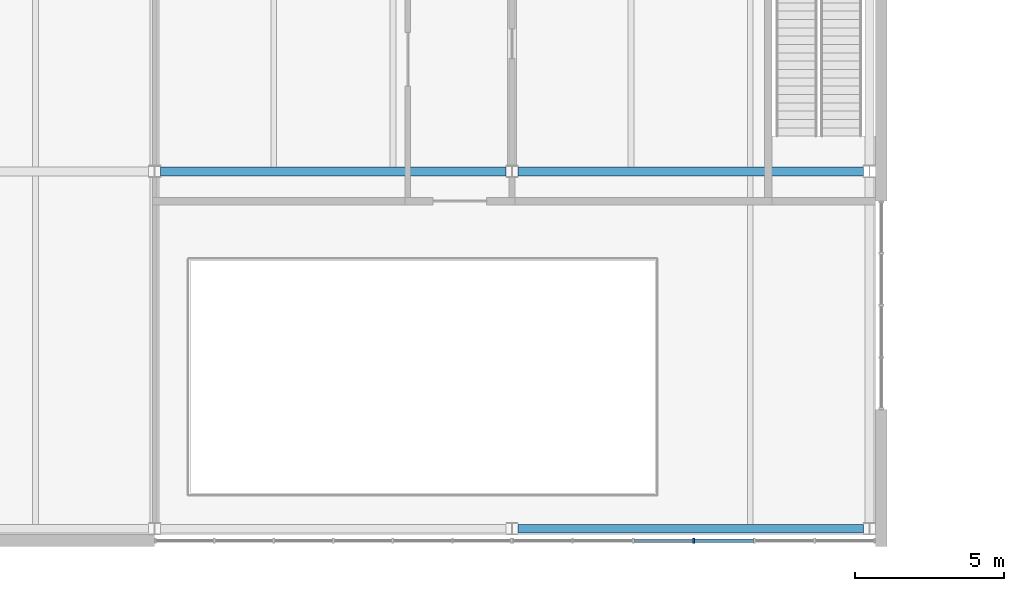
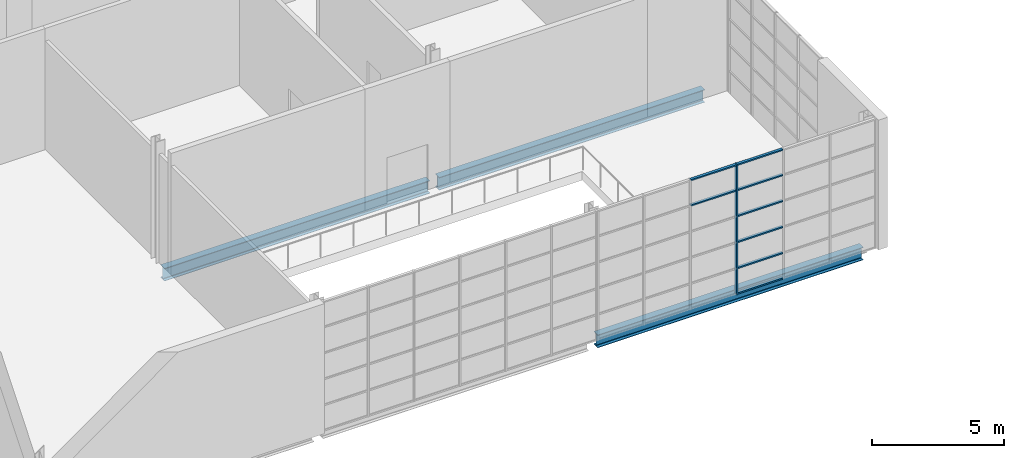
# One storey, part 8 of 30: 9 members, 3 beams, 1 element without a shape of its own.
"""IFC4 building model written with IfcOpenShell, lengths in metres."""

from ifc_helpers import new_model, si_unit, direction, frame, origin, origin_2d, place, context, subcontext, project, spatial, rectangle, i_section, extrude, material, layer, layer_set, material_profile, profile_set, type_object, element, aggregate, save


model = new_model("IFC4")

# Units and contexts
model_context = context("Model", 3, precision=1e-05, world=origin(), true_north=direction((0.0, 1.0)))
body_context = subcontext(model_context, "Body", "Model", "MODEL_VIEW")
ifc_project = project(units=[si_unit("LENGTHUNIT", "METRE"), si_unit("AREAUNIT", "SQUARE_METRE"), si_unit("VOLUMEUNIT", "CUBIC_METRE"), si_unit("PLANEANGLEUNIT", "RADIAN"), si_unit("MASSUNIT", "GRAM", prefix="KILO")], contexts=[model_context])

# Site, building, storey
site_placement = place(None, origin())
site = spatial("IfcSite", under=ifc_project, at=site_placement, CompositionType="ELEMENT")
building_placement = place(site_placement, origin())
building = spatial("IfcBuilding", under=site, at=building_placement, Name="Kitamizu Gate Tower and Museum", CompositionType="ELEMENT")
storey_placement = place(building_placement, frame((0.0, 0.0, 6.0)))
storey = spatial("IfcBuildingStorey", under=building, at=storey_placement, Name="L01", CompositionType="ELEMENT", Elevation=6.0)

# Curtain wall, members
ifc_material_1 = material(Name="Bronze anodised aluminium frame, tinted triple glazing", Category="aluminium")
ifc_layer = layer(ifc_material_1, 0.39990234375)
ifc_layer_set = layer_set([ifc_layer], Name="Bronze anodised aluminium frame, tinted triple glazing")
curtain_wall_type = type_object("IfcCurtainWallType", Name="Museum atrium curtain wall D", PredefinedType="NOTDEFINED", material=ifc_layer_set)
curtain_wall_placement = place(storey_placement, origin())
curtain_wall = element("IfcCurtainWall", 1, at=curtain_wall_placement, inside=storey, type_object=curtain_wall_type, Name="Atrium curtain wall Sm2m10.2", PredefinedType="NOTDEFINED")
ifc_material_2 = material(Name="Bronze anodised aluminium", Category="aluminium")
ifc_material_profile_1 = material_profile(ifc_material_2, rectangle(XDim=0.06005859375, YDim=0.159912109375, at=origin_2d()), Name="60x160")
ifc_profile_set_1 = profile_set([ifc_material_profile_1], Name="Bronze anodised aluminium")
member_type_1 = type_object("IfcMemberType", Name="Museum curtain wall mullion 60x160", PredefinedType="MULLION", material=ifc_profile_set_1)
member_1_placement = place(storey_placement, frame((4.10009765625, -26.39990234375, -0.39990234375), z_axis=(0.0, 0.0, 1.0), x_axis=(1.0, 0.0, 0.0)))
member_1 = element("IfcMember", 2, at=member_1_placement, type_object=member_type_1, Name="CW-D mullion 4", PredefinedType="MULLION", context=body_context, shape_type="SweptSolid", body=[
    extrude(rectangle(XDim=0.06005859375, YDim=0.159912109375, at=origin_2d()), origin(), (0.0, 0.0, 1.0), 6.0),
])
ifc_material_3 = material(Name="Bronze anodised aluminium", Category="aluminium")
ifc_material_profile_2 = material_profile(ifc_material_3, rectangle(XDim=0.1201171875, YDim=0.06005859375, at=origin_2d()), Name="120x60")
ifc_profile_set_2 = profile_set([ifc_material_profile_2], Name="Bronze anodised aluminium")
member_type_2 = type_object("IfcMemberType", Name="Museum curtain wall transom 60x120", PredefinedType="USERDEFINED", material=ifc_profile_set_2)
member_2_placement = place(storey_placement, frame((2.0966796875, -26.39990234375, 4.39990234375), z_axis=(1.0, 0.0, 0.0), x_axis=(0.0, 1.0, 0.0)))
member_2 = element("IfcMember", 3, at=member_2_placement, type_object=member_type_2, Name="CW-D transom 3.5", ObjectType="TRANSOM", PredefinedType="USERDEFINED", context=body_context, shape_type="SweptSolid", body=[
    extrude(rectangle(XDim=0.1201171875, YDim=0.06005859375, at=origin_2d()), origin(), (0.0, 0.0, 1.0), 1.973388671875),
])
member_3_placement = place(storey_placement, frame((2.0966796875, -26.39990234375, 5.570068359375), z_axis=(1.0, 0.0, 0.0), x_axis=(0.0, 1.0, 0.0)))
member_3 = element("IfcMember", 4, at=member_3_placement, type_object=member_type_2, Name="CW-D transom 3.6", ObjectType="TRANSOM", PredefinedType="USERDEFINED", context=body_context, shape_type="SweptSolid", body=[
    extrude(rectangle(XDim=0.1201171875, YDim=0.06005859375, at=origin_2d()), origin(), (0.0, 0.0, 1.0), 1.973388671875),
])
member_4_placement = place(storey_placement, frame((4.1298828125, -26.39990234375, -0.3701171875), z_axis=(1.0, 0.0, 0.0), x_axis=(0.0, 1.0, 0.0)))
member_4 = element("IfcMember", 5, at=member_4_placement, type_object=member_type_2, Name="CW-D transom 4.1", ObjectType="TRANSOM", PredefinedType="USERDEFINED", context=body_context, shape_type="SweptSolid", body=[
    extrude(rectangle(XDim=0.1201171875, YDim=0.06005859375, at=origin_2d()), origin(), (0.0, 0.0, 1.0), 1.973388671875),
])
member_5_placement = place(storey_placement, frame((4.1298828125, -26.39990234375, 0.800048828125), z_axis=(1.0, 0.0, 0.0), x_axis=(0.0, 1.0, 0.0)))
member_5 = element("IfcMember", 6, at=member_5_placement, type_object=member_type_2, Name="CW-D transom 4.2", ObjectType="TRANSOM", PredefinedType="USERDEFINED", context=body_context, shape_type="SweptSolid", body=[
    extrude(rectangle(XDim=0.1201171875, YDim=0.06005859375, at=origin_2d()), origin(), (0.0, 0.0, 1.0), 1.973388671875),
])
member_6_placement = place(storey_placement, frame((4.1298828125, -26.39990234375, 2.0), z_axis=(1.0, 0.0, 0.0), x_axis=(0.0, 1.0, 0.0)))
member_6 = element("IfcMember", 7, at=member_6_placement, type_object=member_type_2, Name="CW-D transom 4.3", ObjectType="TRANSOM", PredefinedType="USERDEFINED", context=body_context, shape_type="SweptSolid", body=[
    extrude(rectangle(XDim=0.1201171875, YDim=0.06005859375, at=origin_2d()), origin(), (0.0, 0.0, 1.0), 1.973388671875),
])
member_7_placement = place(storey_placement, frame((4.1298828125, -26.39990234375, 3.199951171875), z_axis=(1.0, 0.0, 0.0), x_axis=(0.0, 1.0, 0.0)))
member_7 = element("IfcMember", 8, at=member_7_placement, type_object=member_type_2, Name="CW-D transom 4.4", ObjectType="TRANSOM", PredefinedType="USERDEFINED", context=body_context, shape_type="SweptSolid", body=[
    extrude(rectangle(XDim=0.1201171875, YDim=0.06005859375, at=origin_2d()), origin(), (0.0, 0.0, 1.0), 1.973388671875),
])
member_8_placement = place(storey_placement, frame((4.1298828125, -26.39990234375, 4.39990234375), z_axis=(1.0, 0.0, 0.0), x_axis=(0.0, 1.0, 0.0)))
member_8 = element("IfcMember", 9, at=member_8_placement, type_object=member_type_2, Name="CW-D transom 4.5", ObjectType="TRANSOM", PredefinedType="USERDEFINED", context=body_context, shape_type="SweptSolid", body=[
    extrude(rectangle(XDim=0.1201171875, YDim=0.06005859375, at=origin_2d()), origin(), (0.0, 0.0, 1.0), 1.973388671875),
])
member_9_placement = place(storey_placement, frame((4.1298828125, -26.39990234375, 5.570068359375), z_axis=(1.0, 0.0, 0.0), x_axis=(0.0, 1.0, 0.0)))
member_9 = element("IfcMember", 10, at=member_9_placement, type_object=member_type_2, Name="CW-D transom 4.6", ObjectType="TRANSOM", PredefinedType="USERDEFINED", context=body_context, shape_type="SweptSolid", body=[
    extrude(rectangle(XDim=0.1201171875, YDim=0.06005859375, at=origin_2d()), origin(), (0.0, 0.0, 1.0), 1.973388671875),
])
aggregate(curtain_wall, [member_1, member_2, member_3, member_4, member_5, member_6, member_7, member_8, member_9])

# Beams
ifc_material_4 = material(Name="Steel SS400", Category="steel")
ifc_material_profile_3 = material_profile(ifc_material_4, i_section(OverallWidth=0.300048828125, OverallDepth=0.587890625, WebThickness=0.011962890625, FlangeThickness=0.02001953125, FilletRadius=0.028076171875, at=origin_2d()), Name="H-588x300x12x20")
ifc_profile_set_3 = profile_set([ifc_material_profile_3], Name="Steel SS400")
beam_type = type_object("IfcBeamType", Name="Museum girder H 588x300x12x20", PredefinedType="BEAM", material=ifc_profile_set_3)
for number, where, z_axis, x_axis, name in (
    (11, (-13.800048828125, -14.0, -0.694091796875), (1.0, 0.0, 0.0), (0.0, 1.0, 0.0), "Girder xM2M3MB"),
    (12, (-1.800048828125, -26.0, -0.694091796875), (1.0, 0.0, 0.0), (0.0, 1.0, 0.0), "Girder xM3M4MA"),
    (13, (-1.800048828125, -14.0, -0.694091796875), (1.0, 0.0, 0.0), (0.0, 1.0, 0.0), "Girder xM3M4MB"),
):
    element("IfcBeam", number, at=place(storey_placement, frame(where, z_axis=z_axis, x_axis=x_axis)), inside=storey, type_object=beam_type, Name=name, PredefinedType="BEAM", context=body_context, shape_type="SweptSolid", body=[
        extrude(i_section(OverallWidth=0.300048828125, OverallDepth=0.587890625, WebThickness=0.011962890625, FlangeThickness=0.02001953125, FilletRadius=0.028076171875, at=origin_2d()), origin(), (0.0, 0.0, 1.0), 11.60009765625),
    ])

save(model, "model.ifc")
